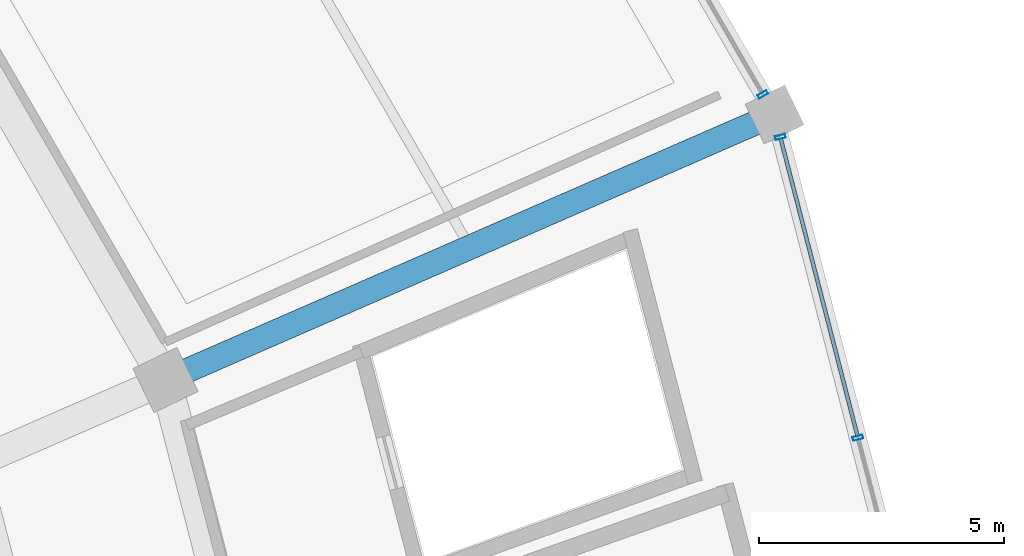
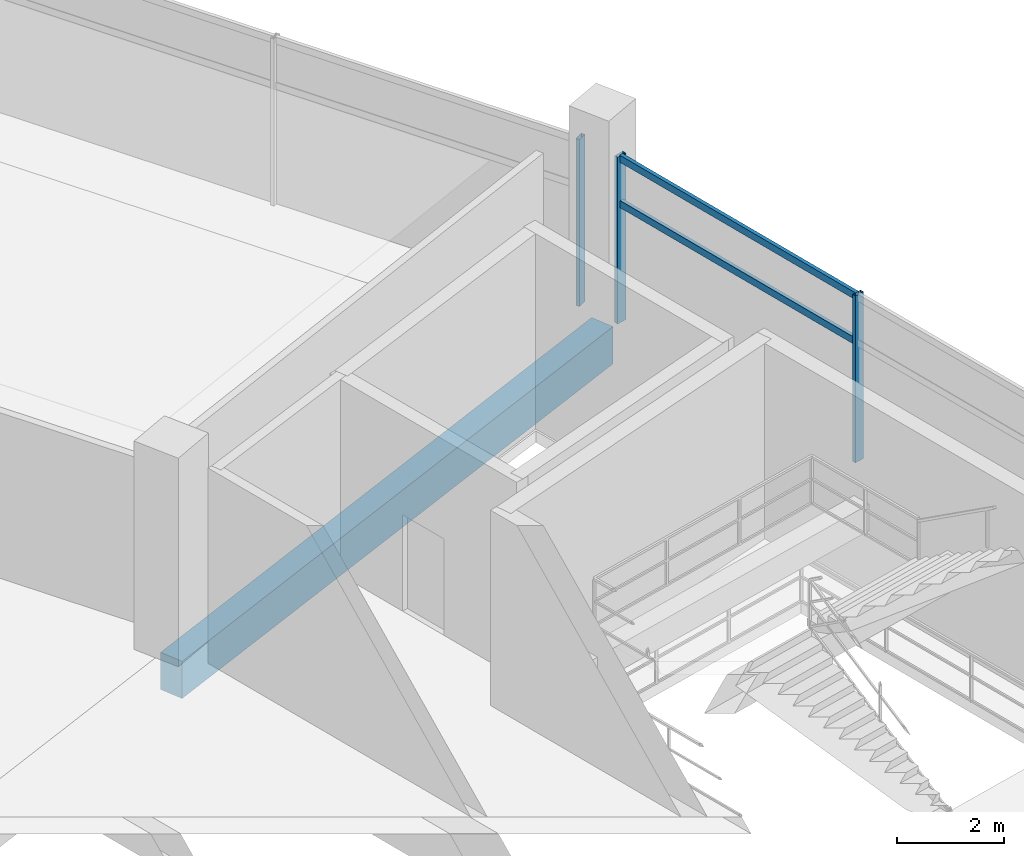
# One storey, part 69 of 171: 5 members, 1 beam, 2 elements without a shape of their own.
"""IFC4 building model written with IfcOpenShell, lengths in metres."""

from ifc_helpers import new_model, si_unit, direction, frame, origin, origin_2d, place, context, subcontext, project, spatial, rectangle, hollow_rectangle, extrude, material, layer, layer_set, material_profile, profile_set, type_object, element, aggregate, save


model = new_model("IFC4")

# Units and contexts
model_context = context("Model", 3, precision=1e-05, world=origin(), true_north=direction((0.0, 1.0)))
body_context = subcontext(model_context, "Body", "Model", "MODEL_VIEW")
ifc_project = project(units=[si_unit("LENGTHUNIT", "METRE"), si_unit("AREAUNIT", "SQUARE_METRE"), si_unit("VOLUMEUNIT", "CUBIC_METRE"), si_unit("PLANEANGLEUNIT", "RADIAN"), si_unit("MASSUNIT", "GRAM", prefix="KILO")], contexts=[model_context])

# Site, building, storey
site_placement = place(None, origin())
site = spatial("IfcSite", under=ifc_project, at=site_placement, CompositionType="ELEMENT")
building_placement = place(site_placement, origin())
building = spatial("IfcBuilding", under=site, at=building_placement, Name="Kazemori Nagisa Stadium", CompositionType="ELEMENT")
storey_placement = place(building_placement, frame((0.0, 0.0, 15.639892578125)))
storey = spatial("IfcBuildingStorey", under=building, at=storey_placement, Name="L03", CompositionType="ELEMENT", Elevation=15.639892578125)

# Beam
ifc_material_1 = material(Name="Concrete C40/50 (Fc42)", Category="concrete")
ifc_material_profile_1 = material_profile(ifc_material_1, rectangle(XDim=0.5, YDim=0.85009765625, at=origin_2d()), Name="RC-BM-500x850")
ifc_profile_set_1 = profile_set([ifc_material_profile_1], Name="Concrete C40/50 (Fc42)")
beam_type = type_object("IfcBeamType", Name="Beam_BG-RC500X850", PredefinedType="BEAM", material=ifc_profile_set_1)
beam_placement = place(storey_placement, frame((199.44091796875, 135.32470703125, -0.684814453125), z_axis=(0.916683633521, 0.399613708517, 0.0), x_axis=(-0.399613708517, 0.916683633521, 0.0)))
element("IfcBeam", 1, at=beam_placement, inside=storey, type_object=beam_type, Name="Radial girder BG-RC500X850 L03 R2-R3-03", PredefinedType="BEAM", context=body_context, shape_type="SweptSolid", body=[
    extrude(rectangle(XDim=0.5, YDim=0.85009765625, at=origin_2d()), origin(), (0.0, 0.0, 1.0), 13.5751953125),
])

# Curtain wall, members
ifc_material_2 = material(Name="Anodised aluminium 6063-T5", Category="aluminium")
ifc_layer_1 = layer(ifc_material_2, 0.2099609375, Name="Anodised aluminium 6063-T5", Category="aluminium")
ifc_layer_set_1 = layer_set([ifc_layer_1], Name="Anodised aluminium 6063-T5")
curtain_wall_type_1 = type_object("IfcCurtainWallType", Name="CW_L03R3_96", PredefinedType="USERDEFINED", material=ifc_layer_set_1)
curtain_wall_1_placement = place(storey_placement, origin())
curtain_wall_1 = element("IfcCurtainWall", 2, at=curtain_wall_1_placement, inside=storey, type_object=curtain_wall_type_1, Name="Unitised curtain wall CW-L03R3-96 L03", ObjectType="UNITISED CURTAIN WALL", PredefinedType="USERDEFINED")
ifc_material_3 = material(Name="Aluminium 6063-T5 anodised", Category="aluminium")
ifc_material_profile_2 = material_profile(ifc_material_3, hollow_rectangle(XDim=0.080078125, YDim=0.2099609375, WallThickness=0.0048828125, at=origin_2d()), Name="ALU-MULL-80x210x5")
ifc_profile_set_2 = profile_set([ifc_material_profile_2], Name="Aluminium 6063-T5 anodised")
member_type_1 = type_object("IfcMemberType", Name="Mullion_M02", PredefinedType="MULLION", material=ifc_profile_set_2)
member_1_placement = place(storey_placement, frame((213.58984375, 134.1455078125, 0.0), z_axis=(0.0, 0.0, 1.0), x_axis=(-0.249964642418, 0.968254965152, 0.0)))
member_1 = element("IfcMember", 3, at=member_1_placement, type_object=member_type_1, Name="Curtain wall mullion CW-L03R3-96-M3", PredefinedType="MULLION", context=body_context, shape_type="SweptSolid", body=[
    extrude(hollow_rectangle(XDim=0.080078125, YDim=0.2099609375, WallThickness=0.0048828125, at=origin_2d()), origin(), (0.0, 0.0, 1.0), 3.81005859375),
])
member_2_placement = place(storey_placement, frame((212.003662109375, 140.28955078125, 0.0), z_axis=(0.0, 0.0, 1.0), x_axis=(-0.249964642418, 0.968254965152, 0.0)))
member_2 = element("IfcMember", 4, at=member_2_placement, type_object=member_type_1, Name="Curtain wall mullion CW-L03R3-96-M4", PredefinedType="MULLION", context=body_context, shape_type="SweptSolid", body=[
    extrude(hollow_rectangle(XDim=0.080078125, YDim=0.2099609375, WallThickness=0.0048828125, at=origin_2d()), origin(), (0.0, 0.0, 1.0), 3.81005859375),
])

# Curtain wall, member
ifc_layer_2 = layer(ifc_material_2, 0.2099609375, Name="Anodised aluminium 6063-T5", Category="aluminium")
ifc_layer_set_2 = layer_set([ifc_layer_2], Name="Anodised aluminium 6063-T5")
curtain_wall_type_2 = type_object("IfcCurtainWallType", Name="CW_L03R3_99", PredefinedType="USERDEFINED", material=ifc_layer_set_2)
curtain_wall_2_placement = place(storey_placement, origin())
curtain_wall_2 = element("IfcCurtainWall", 5, at=curtain_wall_2_placement, inside=storey, type_object=curtain_wall_type_2, Name="Unitised curtain wall CW-L03R3-99 L03", ObjectType="UNITISED CURTAIN WALL", PredefinedType="USERDEFINED")
member_3_placement = place(storey_placement, frame((211.646728515625, 141.160400390625, 0.0), z_axis=(0.0, 0.0, 1.0), x_axis=(-0.501611590054, 0.865092950337, 0.0)))
member_3 = element("IfcMember", 6, at=member_3_placement, type_object=member_type_1, Name="Curtain wall mullion CW-L03R3-99-M1", PredefinedType="MULLION", context=body_context, shape_type="SweptSolid", body=[
    extrude(hollow_rectangle(XDim=0.080078125, YDim=0.2099609375, WallThickness=0.0048828125, at=origin_2d()), origin(), (0.0, 0.0, 1.0), 3.81005859375),
])
aggregate(curtain_wall_2, [member_3])

# Member
ifc_material_profile_3 = material_profile(ifc_material_3, hollow_rectangle(XDim=0.080078125, YDim=0.159912109375, WallThickness=0.00390625, at=origin_2d()), Name="ALU-TRAN-80x160x4")
ifc_profile_set_3 = profile_set([ifc_material_profile_3], Name="Aluminium 6063-T5 anodised")
member_type_2 = type_object("IfcMemberType", Name="Transom_T02", PredefinedType="USERDEFINED", material=ifc_profile_set_3)
member_4_placement = place(storey_placement, frame((213.584716796875, 134.1650390625, 2.705322265625), z_axis=(-0.249971699633, 0.968253143234, 0.0), x_axis=(-0.968253143234, -0.249971699633, 0.0)))
member_4 = element("IfcMember", 7, at=member_4_placement, type_object=member_type_2, Name="Curtain wall transom CW-L03R3-96-T3-mid", ObjectType="TRANSOM", PredefinedType="USERDEFINED", context=body_context, shape_type="SweptSolid", body=[
    extrude(hollow_rectangle(XDim=0.080078125, YDim=0.159912109375, WallThickness=0.00390625, at=origin_2d()), origin(), (0.0, 0.0, 1.0), 6.305419921875),
])

member_5_placement = place(storey_placement, frame((213.584716796875, 134.1650390625, 3.739990234375), z_axis=(-0.249971699633, 0.968253143234, 0.0), x_axis=(-0.968253143234, -0.249971699633, 0.0)))
member_5 = element("IfcMember", 8, at=member_5_placement, type_object=member_type_2, Name="Curtain wall transom CW-L03R3-96-T3-head", ObjectType="TRANSOM", PredefinedType="USERDEFINED", context=body_context, shape_type="SweptSolid", body=[
    extrude(hollow_rectangle(XDim=0.080078125, YDim=0.159912109375, WallThickness=0.00390625, at=origin_2d()), origin(), (0.0, 0.0, 1.0), 6.305419921875),
])

aggregate(curtain_wall_1, [member_1, member_2, member_4, member_5])

save(model, "model.ifc")
